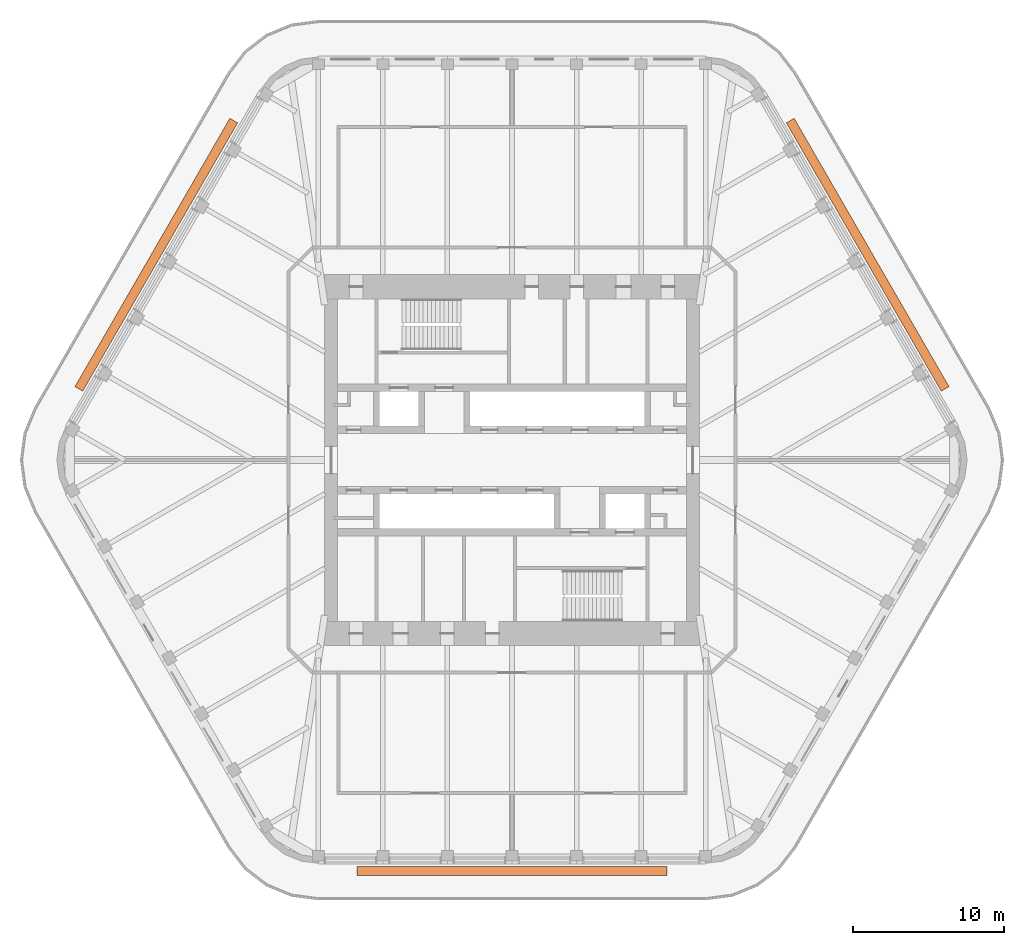
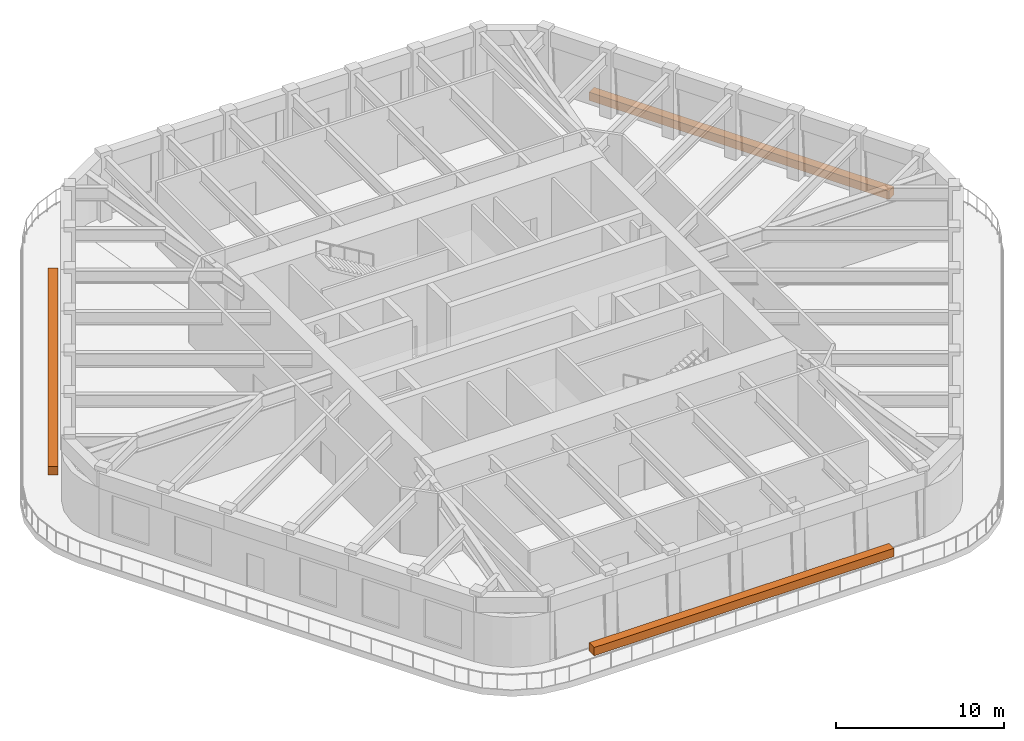
# One storey, part 13 of 13: 3 proxies.
"""IFC4 building model written with IfcOpenShell, lengths in metres."""

from ifc_helpers import new_model, si_unit, direction, frame, origin, origin_2d, place, context, subcontext, project, spatial, rectangle, extrude, material, element, save


model = new_model("IFC4")

# Units and contexts
model_context = context("Model", 3, precision=1e-05, world=origin(), true_north=direction((0.0, 1.0)))
body_context = subcontext(model_context, "Body", "Model", "MODEL_VIEW")
ifc_project = project(units=[si_unit("LENGTHUNIT", "METRE"), si_unit("AREAUNIT", "SQUARE_METRE"), si_unit("VOLUMEUNIT", "CUBIC_METRE"), si_unit("PLANEANGLEUNIT", "RADIAN"), si_unit("MASSUNIT", "GRAM", prefix="KILO")], contexts=[model_context])

# Site, building, storey
site_placement = place(None, origin())
site = spatial("IfcSite", under=ifc_project, at=site_placement, CompositionType="ELEMENT")
building_placement = place(site_placement, origin())
building = spatial("IfcBuilding", under=site, at=building_placement, Name="Tarfa Lantern Tower", CompositionType="ELEMENT")
storey_placement = place(building_placement, frame((0.0, 0.0, 391.300048828125)))
storey = spatial("IfcBuildingStorey", under=building, at=storey_placement, Name="L89", CompositionType="ELEMENT", Elevation=391.300048828125)

# Proxies
ifc_material = material(Name="Planting bed")
for number, where, z_axis, x_axis, name in (
    (1, (23.59912109375, 13.625, 0.0), (0.0, 0.0, 1.0), (-0.5, 0.866025403784, 0.0), "Balcony planter"),
    (2, (-23.59912109375, 13.625, 0.0), (0.0, 0.0, 1.0), (-0.5, -0.866025403784, 0.0), "Balcony planter"),
    (3, (0.0, -27.25, 0.0), (0.0, 0.0, 1.0), (1.0, 0.0, 0.0), "Balcony planter"),
):
    element("IfcBuildingElementProxy", number, at=place(storey_placement, frame(where, z_axis=z_axis, x_axis=x_axis)), inside=storey, material=ifc_material, Name=name, ObjectType="PLANTER", PredefinedType="USERDEFINED", context=body_context, shape_type="SweptSolid", body=[
        extrude(rectangle(XDim=20.5537109375, YDim=0.60009765625, at=origin_2d()), origin(), (0.0, 0.0, 1.0), 0.60009765625),
    ])

save(model, "model.ifc")
